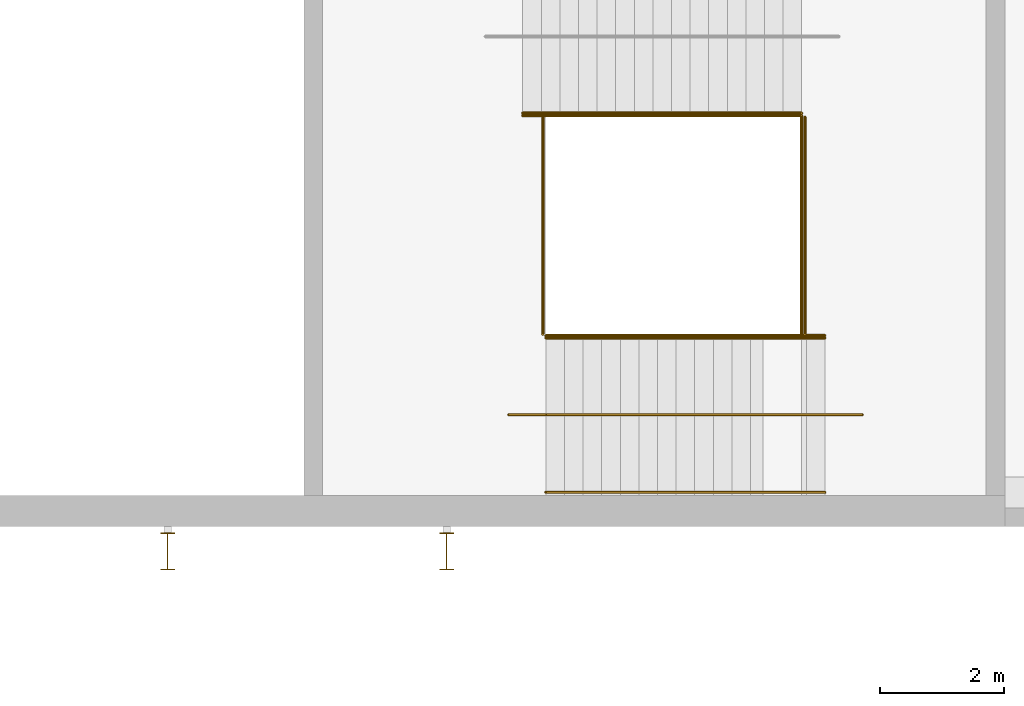
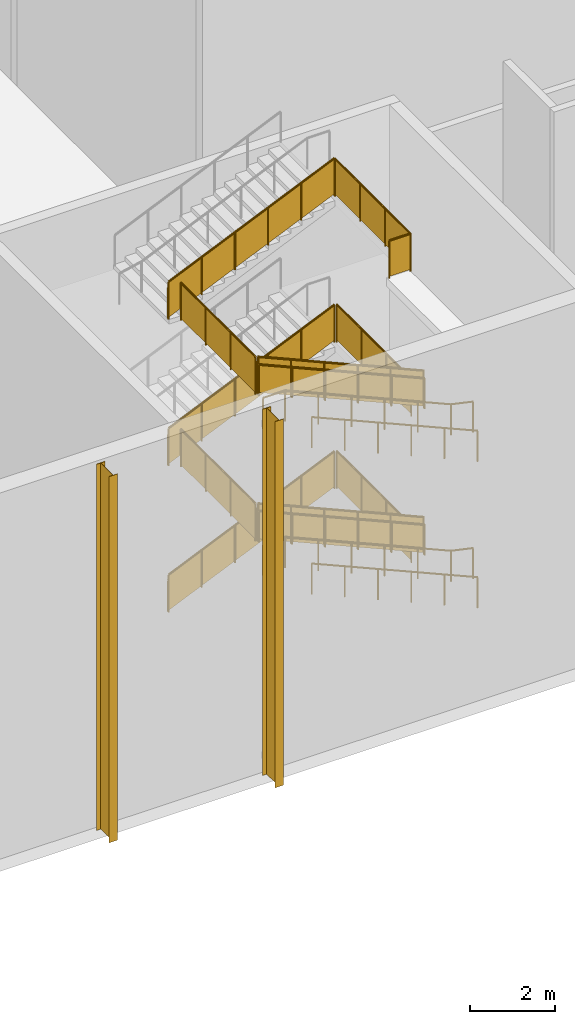
# One storey, part 137 of 182: 19 railings, 2 shading devices.
"""IFC4 building model written with IfcOpenShell, lengths in metres."""

from ifc_helpers import new_model, si_unit, direction, frame, origin, origin_2d, place, context, subcontext, project, spatial, polyline, circle, i_section, outline, extrude, material, material_profile, profile_set, type_object, element, save


model = new_model("IFC4")

# Units and contexts
model_context = context("Model", 3, precision=1e-05, world=origin(), true_north=direction((0.0, 1.0)))
body_context = subcontext(model_context, "Body", "Model", "MODEL_VIEW")
ifc_project = project(units=[si_unit("LENGTHUNIT", "METRE"), si_unit("AREAUNIT", "SQUARE_METRE"), si_unit("VOLUMEUNIT", "CUBIC_METRE"), si_unit("PLANEANGLEUNIT", "RADIAN"), si_unit("MASSUNIT", "GRAM", prefix="KILO")], contexts=[model_context])

# Site, building, storey
site_placement = place(None, origin())
site = spatial("IfcSite", under=ifc_project, at=site_placement, CompositionType="ELEMENT")
building_placement = place(site_placement, origin())
building = spatial("IfcBuilding", under=site, at=building_placement, Name="Silverbay Arena", CompositionType="ELEMENT")
storey_placement = place(building_placement, frame((0.0, 0.0, 11.5)))
storey = spatial("IfcBuildingStorey", under=building, at=storey_placement, Name="L02", CompositionType="ELEMENT", Elevation=11.5)

# Railings
ifc_material_1 = material(Name="Stainless steel", Category="steel")
railing_type_1 = type_object("IfcRailingType", Name="Stair guard 1100", PredefinedType="GUARDRAIL", material=ifc_material_1)
railing_1_placement = place(storey_placement, frame((64.225830078125, 24.125, 0.13134765625)))
element("IfcRailing", 1, at=railing_1_placement, inside=storey, type_object=railing_type_1, Name="Stair ST-S5 L02 to L03 flight 1 guard right", PredefinedType="GUARDRAIL", context=body_context, shape_type="SweptSolid", body=[
    extrude(circle(Radius=0.02392578125, at=origin_2d()), frame((0.0, 0.0, 1.076171875), z_axis=(0.916157334902, 0.0, 0.40081883402), x_axis=(0.0, 1.0, 0.0)), (0.0, 0.0, 1.0), 4.911865234375),
    extrude(outline(polyline([(-0.008056640625, 0.04638671875), (0.907958984375, 0.447265625), (0.907958984375, 1.4501953125), (-0.008056640625, 1.049560546875), (-0.008056640625, 0.04638671875)])), frame((0.0, 0.0029296875, 0.0), z_axis=(0.0, -1.0, 0.0), x_axis=(1.0, 0.0, 0.0)), (0.0, 0.0, 1.0), 0.006103515625),
    extrude(outline(polyline([(-0.008056640625, 0.440185546875), (0.907958984375, 0.841064453125), (0.907958984375, 1.843994140625), (-0.008056640625, 1.443359375), (-0.008056640625, 0.440185546875)])), frame((0.89990234375, 0.0029296875, 0.0), z_axis=(0.0, -1.0, 0.0), x_axis=(1.0, 0.0, 0.0)), (0.0, 0.0, 1.0), 0.006103515625),
    extrude(outline(polyline([(-0.008056640625, 0.833984375), (0.907958984375, 1.23486328125), (0.907958984375, 2.23779296875), (-0.008056640625, 1.8369140625), (-0.008056640625, 0.833984375)])), frame((1.800048828125, 0.0029296875, 0.0), z_axis=(0.0, -1.0, 0.0), x_axis=(1.0, 0.0, 0.0)), (0.0, 0.0, 1.0), 0.006103515625),
    extrude(outline(polyline([(-0.008056640625, 1.227783203125), (0.907958984375, 1.62841796875), (0.907958984375, 2.631591796875), (-0.008056640625, 2.230712890625), (-0.008056640625, 1.227783203125)])), frame((2.699951171875, 0.0029296875, 0.0), z_axis=(0.0, -1.0, 0.0), x_axis=(1.0, 0.0, 0.0)), (0.0, 0.0, 1.0), 0.006103515625),
    extrude(outline(polyline([(-0.008056640625, 1.62158203125), (0.907958984375, 2.022216796875), (0.907958984375, 3.025146484375), (-0.008056640625, 2.62451171875), (-0.008056640625, 1.62158203125)])), frame((3.60009765625, 0.0029296875, 0.0), z_axis=(0.0, -1.0, 0.0), x_axis=(1.0, 0.0, 0.0)), (0.0, 0.0, 1.0), 0.006103515625),
    extrude(circle(Radius=0.02099609375, at=origin_2d()), origin(), (0.0, 0.0, 1.0), 1.052001953125),
    extrude(circle(Radius=0.02099609375, at=origin_2d()), frame((0.89990234375, 0.0, 0.393798828125)), (0.0, 0.0, 1.0), 1.052001953125),
    extrude(circle(Radius=0.02099609375, at=origin_2d()), frame((1.800048828125, 0.0, 0.78759765625)), (0.0, 0.0, 1.0), 1.052001953125),
    extrude(circle(Radius=0.02099609375, at=origin_2d()), frame((2.699951171875, 0.0, 1.18115234375)), (0.0, 0.0, 1.0), 1.052001953125),
    extrude(circle(Radius=0.02099609375, at=origin_2d()), frame((3.60009765625, 0.0, 1.574951171875)), (0.0, 0.0, 1.0), 1.052001953125),
    extrude(circle(Radius=0.02099609375, at=origin_2d()), frame((4.5, 0.0, 1.96875)), (0.0, 0.0, 1.0), 1.052001953125),
])
railing_2_placement = place(storey_placement, frame((69.10009765625, 20.574951171875, 2.231201171875)))
element("IfcRailing", 2, at=railing_2_placement, inside=storey, type_object=railing_type_1, Name="Stair ST-S5 L02 to L03 flight 2 guard left", PredefinedType="GUARDRAIL", context=body_context, shape_type="SweptSolid", body=[
    extrude(circle(Radius=0.02392578125, at=origin_2d()), frame((0.0, 0.0, 1.076171875), z_axis=(-0.916157334902, 0.0, 0.40081883402), x_axis=(0.0, -1.0, 0.0)), (0.0, 0.0, 1.0), 4.911865234375),
    extrude(outline(polyline([(-0.008056640625, 0.04638671875), (0.907958984375, 0.447265625), (0.907958984375, 1.4501953125), (-0.008056640625, 1.049560546875), (-0.008056640625, 0.04638671875)])), frame((0.0, -0.0029296875, 0.0), z_axis=(0.0, 1.0, 0.0), x_axis=(-1.0, 0.0, 0.0)), (0.0, 0.0, 1.0), 0.006103515625),
    extrude(outline(polyline([(-0.008056640625, 0.440185546875), (0.907958984375, 0.841064453125), (0.907958984375, 1.843994140625), (-0.008056640625, 1.443359375), (-0.008056640625, 0.440185546875)])), frame((-0.89990234375, -0.0029296875, 0.0), z_axis=(0.0, 1.0, 0.0), x_axis=(-1.0, 0.0, 0.0)), (0.0, 0.0, 1.0), 0.006103515625),
    extrude(outline(polyline([(-0.008056640625, 0.833984375), (0.907958984375, 1.23486328125), (0.907958984375, 2.23779296875), (-0.008056640625, 1.8369140625), (-0.008056640625, 0.833984375)])), frame((-1.800048828125, -0.0029296875, 0.0), z_axis=(0.0, 1.0, 0.0), x_axis=(-1.0, 0.0, 0.0)), (0.0, 0.0, 1.0), 0.006103515625),
    extrude(outline(polyline([(-0.008056640625, 1.227783203125), (0.907958984375, 1.62841796875), (0.907958984375, 2.631591796875), (-0.008056640625, 2.230712890625), (-0.008056640625, 1.227783203125)])), frame((-2.699951171875, -0.0029296875, 0.0), z_axis=(0.0, 1.0, 0.0), x_axis=(-1.0, 0.0, 0.0)), (0.0, 0.0, 1.0), 0.006103515625),
    extrude(outline(polyline([(-0.008056640625, 1.62158203125), (0.907958984375, 2.022216796875), (0.907958984375, 3.025146484375), (-0.008056640625, 2.62451171875), (-0.008056640625, 1.62158203125)])), frame((-3.60009765625, -0.0029296875, 0.0), z_axis=(0.0, 1.0, 0.0), x_axis=(-1.0, 0.0, 0.0)), (0.0, 0.0, 1.0), 0.006103515625),
    extrude(circle(Radius=0.02099609375, at=origin_2d()), origin(), (0.0, 0.0, 1.0), 1.052001953125),
    extrude(circle(Radius=0.02099609375, at=origin_2d()), frame((-0.89990234375, 0.0, 0.393798828125)), (0.0, 0.0, 1.0), 1.052001953125),
    extrude(circle(Radius=0.02099609375, at=origin_2d()), frame((-1.800048828125, 0.0, 0.78759765625)), (0.0, 0.0, 1.0), 1.052001953125),
    extrude(circle(Radius=0.02099609375, at=origin_2d()), frame((-2.699951171875, 0.0, 1.18115234375)), (0.0, 0.0, 1.0), 1.052001953125),
    extrude(circle(Radius=0.02099609375, at=origin_2d()), frame((-3.60009765625, 0.0, 1.574951171875)), (0.0, 0.0, 1.0), 1.052001953125),
    extrude(circle(Radius=0.02099609375, at=origin_2d()), frame((-4.5, 0.0, 1.96875)), (0.0, 0.0, 1.0), 1.052001953125),
])
railing_3_placement = place(storey_placement, frame((64.225830078125, 24.125, 4.331298828125)))
element("IfcRailing", 3, at=railing_3_placement, inside=storey, type_object=railing_type_1, Name="Stair ST-S5 L02 to L03 flight 3 guard right", PredefinedType="GUARDRAIL", context=body_context, shape_type="SweptSolid", body=[
    extrude(circle(Radius=0.02392578125, at=origin_2d()), frame((0.0, 0.0, 1.076171875), z_axis=(0.916157334902, 0.0, 0.40081883402), x_axis=(0.0, 1.0, 0.0)), (0.0, 0.0, 1.0), 4.911865234375),
    extrude(outline(polyline([(-0.008056640625, 0.04638671875), (0.907958984375, 0.447265625), (0.907958984375, 1.4501953125), (-0.008056640625, 1.049560546875), (-0.008056640625, 0.04638671875)])), frame((0.0, 0.0029296875, 0.0), z_axis=(0.0, -1.0, 0.0), x_axis=(1.0, 0.0, 0.0)), (0.0, 0.0, 1.0), 0.006103515625),
    extrude(outline(polyline([(-0.008056640625, 0.440185546875), (0.907958984375, 0.841064453125), (0.907958984375, 1.843994140625), (-0.008056640625, 1.443359375), (-0.008056640625, 0.440185546875)])), frame((0.89990234375, 0.0029296875, 0.0), z_axis=(0.0, -1.0, 0.0), x_axis=(1.0, 0.0, 0.0)), (0.0, 0.0, 1.0), 0.006103515625),
    extrude(outline(polyline([(-0.008056640625, 0.833984375), (0.907958984375, 1.23486328125), (0.907958984375, 2.23779296875), (-0.008056640625, 1.8369140625), (-0.008056640625, 0.833984375)])), frame((1.800048828125, 0.0029296875, 0.0), z_axis=(0.0, -1.0, 0.0), x_axis=(1.0, 0.0, 0.0)), (0.0, 0.0, 1.0), 0.006103515625),
    extrude(outline(polyline([(-0.008056640625, 1.227783203125), (0.907958984375, 1.62841796875), (0.907958984375, 2.631591796875), (-0.008056640625, 2.230712890625), (-0.008056640625, 1.227783203125)])), frame((2.699951171875, 0.0029296875, 0.0), z_axis=(0.0, -1.0, 0.0), x_axis=(1.0, 0.0, 0.0)), (0.0, 0.0, 1.0), 0.006103515625),
    extrude(outline(polyline([(-0.008056640625, 1.62158203125), (0.907958984375, 2.022216796875), (0.907958984375, 3.025146484375), (-0.008056640625, 2.62451171875), (-0.008056640625, 1.62158203125)])), frame((3.60009765625, 0.0029296875, 0.0), z_axis=(0.0, -1.0, 0.0), x_axis=(1.0, 0.0, 0.0)), (0.0, 0.0, 1.0), 0.006103515625),
    extrude(circle(Radius=0.02099609375, at=origin_2d()), origin(), (0.0, 0.0, 1.0), 1.052001953125),
    extrude(circle(Radius=0.02099609375, at=origin_2d()), frame((0.89990234375, 0.0, 0.393798828125)), (0.0, 0.0, 1.0), 1.052001953125),
    extrude(circle(Radius=0.02099609375, at=origin_2d()), frame((1.800048828125, 0.0, 0.78759765625)), (0.0, 0.0, 1.0), 1.052001953125),
    extrude(circle(Radius=0.02099609375, at=origin_2d()), frame((2.699951171875, 0.0, 1.18115234375)), (0.0, 0.0, 1.0), 1.052001953125),
    extrude(circle(Radius=0.02099609375, at=origin_2d()), frame((3.60009765625, 0.0, 1.574951171875)), (0.0, 0.0, 1.0), 1.052001953125),
    extrude(circle(Radius=0.02099609375, at=origin_2d()), frame((4.5, 0.0, 1.96875)), (0.0, 0.0, 1.0), 1.052001953125),
])
railing_4_placement = place(storey_placement, frame((69.10009765625, 20.574951171875, 6.43115234375)))
element("IfcRailing", 4, at=railing_4_placement, inside=storey, type_object=railing_type_1, Name="Stair ST-S5 L02 to L03 flight 4 guard left", PredefinedType="GUARDRAIL", context=body_context, shape_type="SweptSolid", body=[
    extrude(circle(Radius=0.02392578125, at=origin_2d()), frame((0.0, 0.0, 1.076171875), z_axis=(-0.916157334902, 0.0, 0.40081883402), x_axis=(0.0, -1.0, 0.0)), (0.0, 0.0, 1.0), 4.911865234375),
    extrude(outline(polyline([(-0.008056640625, 0.04638671875), (0.907958984375, 0.447265625), (0.907958984375, 1.4501953125), (-0.008056640625, 1.049560546875), (-0.008056640625, 0.04638671875)])), frame((0.0, -0.0029296875, 0.0), z_axis=(0.0, 1.0, 0.0), x_axis=(-1.0, 0.0, 0.0)), (0.0, 0.0, 1.0), 0.006103515625),
    extrude(outline(polyline([(-0.008056640625, 0.440185546875), (0.907958984375, 0.841064453125), (0.907958984375, 1.843994140625), (-0.008056640625, 1.443359375), (-0.008056640625, 0.440185546875)])), frame((-0.89990234375, -0.0029296875, 0.0), z_axis=(0.0, 1.0, 0.0), x_axis=(-1.0, 0.0, 0.0)), (0.0, 0.0, 1.0), 0.006103515625),
    extrude(outline(polyline([(-0.008056640625, 0.833984375), (0.907958984375, 1.23486328125), (0.907958984375, 2.23779296875), (-0.008056640625, 1.8369140625), (-0.008056640625, 0.833984375)])), frame((-1.800048828125, -0.0029296875, 0.0), z_axis=(0.0, 1.0, 0.0), x_axis=(-1.0, 0.0, 0.0)), (0.0, 0.0, 1.0), 0.006103515625),
    extrude(outline(polyline([(-0.008056640625, 1.227783203125), (0.907958984375, 1.62841796875), (0.907958984375, 2.631591796875), (-0.008056640625, 2.230712890625), (-0.008056640625, 1.227783203125)])), frame((-2.699951171875, -0.0029296875, 0.0), z_axis=(0.0, 1.0, 0.0), x_axis=(-1.0, 0.0, 0.0)), (0.0, 0.0, 1.0), 0.006103515625),
    extrude(outline(polyline([(-0.008056640625, 1.62158203125), (0.907958984375, 2.022216796875), (0.907958984375, 3.025146484375), (-0.008056640625, 2.62451171875), (-0.008056640625, 1.62158203125)])), frame((-3.60009765625, -0.0029296875, 0.0), z_axis=(0.0, 1.0, 0.0), x_axis=(-1.0, 0.0, 0.0)), (0.0, 0.0, 1.0), 0.006103515625),
    extrude(circle(Radius=0.02099609375, at=origin_2d()), origin(), (0.0, 0.0, 1.0), 1.052001953125),
    extrude(circle(Radius=0.02099609375, at=origin_2d()), frame((-0.89990234375, 0.0, 0.393798828125)), (0.0, 0.0, 1.0), 1.052001953125),
    extrude(circle(Radius=0.02099609375, at=origin_2d()), frame((-1.800048828125, 0.0, 0.78759765625)), (0.0, 0.0, 1.0), 1.052001953125),
    extrude(circle(Radius=0.02099609375, at=origin_2d()), frame((-2.699951171875, 0.0, 1.18115234375)), (0.0, 0.0, 1.0), 1.052001953125),
    extrude(circle(Radius=0.02099609375, at=origin_2d()), frame((-3.60009765625, 0.0, 1.574951171875)), (0.0, 0.0, 1.0), 1.052001953125),
    extrude(circle(Radius=0.02099609375, at=origin_2d()), frame((-4.5, 0.0, 1.96875)), (0.0, 0.0, 1.0), 1.052001953125),
])
railing_5_placement = place(storey_placement, frame((64.225830078125, 24.125, 8.53125)))
element("IfcRailing", 5, at=railing_5_placement, inside=storey, type_object=railing_type_1, Name="Stair ST-S5 L02 to L03 flight 5 guard right", PredefinedType="GUARDRAIL", context=body_context, shape_type="SweptSolid", body=[
    extrude(circle(Radius=0.02392578125, at=origin_2d()), frame((0.0, 0.0, 1.076171875), z_axis=(0.916157334902, 0.0, 0.40081883402), x_axis=(0.0, 1.0, 0.0)), (0.0, 0.0, 1.0), 4.911865234375),
    extrude(outline(polyline([(-0.008056640625, 0.04638671875), (0.907958984375, 0.447265625), (0.907958984375, 1.4501953125), (-0.008056640625, 1.049560546875), (-0.008056640625, 0.04638671875)])), frame((0.0, 0.0029296875, 0.0), z_axis=(0.0, -1.0, 0.0), x_axis=(1.0, 0.0, 0.0)), (0.0, 0.0, 1.0), 0.006103515625),
    extrude(outline(polyline([(-0.008056640625, 0.440185546875), (0.907958984375, 0.841064453125), (0.907958984375, 1.843994140625), (-0.008056640625, 1.443359375), (-0.008056640625, 0.440185546875)])), frame((0.89990234375, 0.0029296875, 0.0), z_axis=(0.0, -1.0, 0.0), x_axis=(1.0, 0.0, 0.0)), (0.0, 0.0, 1.0), 0.006103515625),
    extrude(outline(polyline([(-0.008056640625, 0.833984375), (0.907958984375, 1.23486328125), (0.907958984375, 2.23779296875), (-0.008056640625, 1.8369140625), (-0.008056640625, 0.833984375)])), frame((1.800048828125, 0.0029296875, 0.0), z_axis=(0.0, -1.0, 0.0), x_axis=(1.0, 0.0, 0.0)), (0.0, 0.0, 1.0), 0.006103515625),
    extrude(outline(polyline([(-0.008056640625, 1.227783203125), (0.907958984375, 1.62841796875), (0.907958984375, 2.631591796875), (-0.008056640625, 2.230712890625), (-0.008056640625, 1.227783203125)])), frame((2.699951171875, 0.0029296875, 0.0), z_axis=(0.0, -1.0, 0.0), x_axis=(1.0, 0.0, 0.0)), (0.0, 0.0, 1.0), 0.006103515625),
    extrude(outline(polyline([(-0.008056640625, 1.62158203125), (0.907958984375, 2.022216796875), (0.907958984375, 3.025146484375), (-0.008056640625, 2.62451171875), (-0.008056640625, 1.62158203125)])), frame((3.60009765625, 0.0029296875, 0.0), z_axis=(0.0, -1.0, 0.0), x_axis=(1.0, 0.0, 0.0)), (0.0, 0.0, 1.0), 0.006103515625),
    extrude(circle(Radius=0.02099609375, at=origin_2d()), origin(), (0.0, 0.0, 1.0), 1.052001953125),
    extrude(circle(Radius=0.02099609375, at=origin_2d()), frame((0.89990234375, 0.0, 0.393798828125)), (0.0, 0.0, 1.0), 1.052001953125),
    extrude(circle(Radius=0.02099609375, at=origin_2d()), frame((1.800048828125, 0.0, 0.78759765625)), (0.0, 0.0, 1.0), 1.052001953125),
    extrude(circle(Radius=0.02099609375, at=origin_2d()), frame((2.699951171875, 0.0, 1.18115234375)), (0.0, 0.0, 1.0), 1.052001953125),
    extrude(circle(Radius=0.02099609375, at=origin_2d()), frame((3.60009765625, 0.0, 1.574951171875)), (0.0, 0.0, 1.0), 1.052001953125),
    extrude(circle(Radius=0.02099609375, at=origin_2d()), frame((4.5, 0.0, 1.96875)), (0.0, 0.0, 1.0), 1.052001953125),
])
for number, where, name in (
    (6, (68.77587890625, 24.10009765625, 2.10009765625), "Stair ST-S5 L02 to L03 landing 1 guard"),
    (7, (64.550048828125, 24.10009765625, 4.199951171875), "Stair ST-S5 L02 to L03 landing 2 guard"),
    (8, (68.77587890625, 24.10009765625, 6.300048828125), "Stair ST-S5 L02 to L03 landing 3 guard"),
    (9, (64.550048828125, 24.10009765625, 8.39990234375), "Stair ST-S5 L02 to L03 landing 4 guard"),
):
    element("IfcRailing", number, at=place(storey_placement, frame(where)), inside=storey, type_object=railing_type_1, Name=name, PredefinedType="GUARDRAIL", context=body_context, shape_type="SweptSolid", body=[
        extrude(circle(Radius=0.02392578125, at=origin_2d()), frame((0.0, 0.0, 1.076171875), z_axis=(0.0, -1.0, 0.0), x_axis=(1.0, 0.0, 0.0)), (0.0, 0.0, 1.0), 3.5),
        extrude(outline(polyline([(-0.008056640625, 0.050048828125), (1.174560546875, 0.050048828125), (1.174560546875, 1.052978515625), (-0.008056640625, 1.052978515625), (-0.008056640625, 0.050048828125)])), frame((0.0029296875, 0.0, 0.0), z_axis=(-1.0, 0.0, 0.0), x_axis=(0.0, -1.0, 0.0)), (0.0, 0.0, 1.0), 0.006103515625),
        extrude(outline(polyline([(-0.008056640625, 0.050048828125), (1.174560546875, 0.050048828125), (1.174560546875, 1.052978515625), (-0.008056640625, 1.052978515625), (-0.008056640625, 0.050048828125)])), frame((0.0029296875, -1.166748046875, 0.0), z_axis=(-1.0, 0.0, 0.0), x_axis=(0.0, -1.0, 0.0)), (0.0, 0.0, 1.0), 0.006103515625),
        extrude(outline(polyline([(-0.008056640625, 0.050048828125), (1.174560546875, 0.050048828125), (1.174560546875, 1.052978515625), (-0.008056640625, 1.052978515625), (-0.008056640625, 0.050048828125)])), frame((0.0029296875, -2.333251953125, 0.0), z_axis=(-1.0, 0.0, 0.0), x_axis=(0.0, -1.0, 0.0)), (0.0, 0.0, 1.0), 0.006103515625),
        extrude(circle(Radius=0.02099609375, at=origin_2d()), origin(), (0.0, 0.0, 1.0), 1.052001953125),
        extrude(circle(Radius=0.02099609375, at=origin_2d()), frame((0.0, -1.166748046875, 0.0)), (0.0, 0.0, 1.0), 1.052001953125),
        extrude(circle(Radius=0.02099609375, at=origin_2d()), frame((0.0, -2.333251953125, 0.0)), (0.0, 0.0, 1.0), 1.052001953125),
        extrude(circle(Radius=0.02099609375, at=origin_2d()), frame((0.0, -3.5, 0.0)), (0.0, 0.0, 1.0), 1.052001953125),
    ])
railing_6_placement = place(storey_placement, frame((68.14990234375, 20.550048828125, 10.5)))
element("IfcRailing", 10, at=railing_6_placement, inside=storey, type_object=railing_type_1, Name="Stair ST-S5 L02 to L03 landing 5 guard", PredefinedType="GUARDRAIL", context=body_context, shape_type="SweptSolid", body=[
    extrude(circle(Radius=0.02392578125, at=origin_2d()), frame((0.0, 0.0, 1.076171875), z_axis=(1.0, 0.0, 0.0), x_axis=(0.0, 1.0, 0.0)), (0.0, 0.0, 1.0), 0.575927734375),
    extrude(outline(polyline([(-0.008056640625, 0.050048828125), (0.583984375, 0.050048828125), (0.583984375, 1.052978515625), (-0.008056640625, 1.052978515625), (-0.008056640625, 0.050048828125)])), frame((0.0, 0.0029296875, 0.0), z_axis=(0.0, -1.0, 0.0), x_axis=(1.0, 0.0, 0.0)), (0.0, 0.0, 1.0), 0.006103515625),
    extrude(circle(Radius=0.02392578125, at=origin_2d()), frame((0.575927734375, 0.0, 1.076171875), z_axis=(0.0, 1.0, 0.0), x_axis=(-1.0, 0.0, 0.0)), (0.0, 0.0, 1.0), 3.550048828125),
    extrude(outline(polyline([(-0.008056640625, 0.050048828125), (1.19140625, 0.050048828125), (1.19140625, 1.052978515625), (-0.008056640625, 1.052978515625), (-0.008056640625, 0.050048828125)])), frame((0.572998046875, 0.0, 0.0), z_axis=(1.0, 0.0, 0.0), x_axis=(0.0, 1.0, 0.0)), (0.0, 0.0, 1.0), 0.006103515625),
    extrude(outline(polyline([(-0.008056640625, 0.050048828125), (1.19140625, 0.050048828125), (1.19140625, 1.052978515625), (-0.008056640625, 1.052978515625), (-0.008056640625, 0.050048828125)])), frame((0.572998046875, 1.183349609375, 0.0), z_axis=(1.0, 0.0, 0.0), x_axis=(0.0, 1.0, 0.0)), (0.0, 0.0, 1.0), 0.006103515625),
    extrude(outline(polyline([(-0.008056640625, 0.050048828125), (1.19140625, 0.050048828125), (1.19140625, 1.052978515625), (-0.008056640625, 1.052978515625), (-0.008056640625, 0.050048828125)])), frame((0.572998046875, 2.36669921875, 0.0), z_axis=(1.0, 0.0, 0.0), x_axis=(0.0, 1.0, 0.0)), (0.0, 0.0, 1.0), 0.006103515625),
    extrude(circle(Radius=0.02099609375, at=origin_2d()), origin(), (0.0, 0.0, 1.0), 1.052001953125),
    extrude(circle(Radius=0.02099609375, at=origin_2d()), frame((0.575927734375, 0.0, 0.0)), (0.0, 0.0, 1.0), 1.052001953125),
    extrude(circle(Radius=0.02099609375, at=origin_2d()), frame((0.575927734375, 1.183349609375, 0.0)), (0.0, 0.0, 1.0), 1.052001953125),
    extrude(circle(Radius=0.02099609375, at=origin_2d()), frame((0.575927734375, 2.36669921875, 0.0)), (0.0, 0.0, 1.0), 1.052001953125),
    extrude(circle(Radius=0.02099609375, at=origin_2d()), frame((0.575927734375, 3.550048828125, 0.0)), (0.0, 0.0, 1.0), 1.052001953125),
])
ifc_material_2 = material(Name="Stainless steel", Category="steel")
railing_type_2 = type_object("IfcRailingType", Name="Stair handrail 900", PredefinedType="HANDRAIL", material=ifc_material_2)
railing_7_placement = place(storey_placement, frame((64.225830078125, 24.1640625, 0.13134765625)))
element("IfcRailing", 11, at=railing_7_placement, inside=storey, type_object=railing_type_2, Name="Stair ST-S5 L02 to L03 flight 1 handrail right", PredefinedType="HANDRAIL", context=body_context, shape_type="SweptSolid", body=[
    extrude(circle(Radius=0.02392578125, at=origin_2d()), frame((0.0, 0.0, 0.8759765625), z_axis=(0.916157334902, 0.0, 0.40081883402), x_axis=(0.0, 1.0, 0.0)), (0.0, 0.0, 1.0), 4.911865234375),
    extrude(circle(Radius=0.02099609375, at=origin_2d()), origin(), (0.0, 0.0, 1.0), 0.851806640625),
    extrude(circle(Radius=0.02099609375, at=origin_2d()), frame((0.89990234375, 0.0, 0.393798828125)), (0.0, 0.0, 1.0), 0.851806640625),
    extrude(circle(Radius=0.02099609375, at=origin_2d()), frame((1.800048828125, 0.0, 0.78759765625)), (0.0, 0.0, 1.0), 0.851806640625),
    extrude(circle(Radius=0.02099609375, at=origin_2d()), frame((2.699951171875, 0.0, 1.18115234375)), (0.0, 0.0, 1.0), 0.851806640625),
    extrude(circle(Radius=0.02099609375, at=origin_2d()), frame((3.60009765625, 0.0, 1.574951171875)), (0.0, 0.0, 1.0), 0.851806640625),
    extrude(circle(Radius=0.02099609375, at=origin_2d()), frame((4.5, 0.0, 1.96875)), (0.0, 0.0, 1.0), 0.851806640625),
])
for number, where, name in (
    (12, (69.10009765625, 20.535888671875, 2.231201171875), "Stair ST-S5 L02 to L03 flight 2 handrail left"),
    (13, (69.10009765625, 18.050048828125, 2.231201171875), "Stair ST-S5 L02 to L03 flight 2 handrail right"),
):
    element("IfcRailing", number, at=place(storey_placement, frame(where)), inside=storey, type_object=railing_type_2, Name=name, PredefinedType="HANDRAIL", context=body_context, shape_type="SweptSolid", body=[
        extrude(circle(Radius=0.02392578125, at=origin_2d()), frame((0.0, 0.0, 0.8759765625), z_axis=(-0.916157334902, 0.0, 0.40081883402), x_axis=(0.0, -1.0, 0.0)), (0.0, 0.0, 1.0), 4.911865234375),
        extrude(circle(Radius=0.02099609375, at=origin_2d()), origin(), (0.0, 0.0, 1.0), 0.851806640625),
        extrude(circle(Radius=0.02099609375, at=origin_2d()), frame((-0.89990234375, 0.0, 0.393798828125)), (0.0, 0.0, 1.0), 0.851806640625),
        extrude(circle(Radius=0.02099609375, at=origin_2d()), frame((-1.800048828125, 0.0, 0.78759765625)), (0.0, 0.0, 1.0), 0.851806640625),
        extrude(circle(Radius=0.02099609375, at=origin_2d()), frame((-2.699951171875, 0.0, 1.18115234375)), (0.0, 0.0, 1.0), 0.851806640625),
        extrude(circle(Radius=0.02099609375, at=origin_2d()), frame((-3.60009765625, 0.0, 1.574951171875)), (0.0, 0.0, 1.0), 0.851806640625),
        extrude(circle(Radius=0.02099609375, at=origin_2d()), frame((-4.5, 0.0, 1.96875)), (0.0, 0.0, 1.0), 0.851806640625),
    ])
railing_8_placement = place(storey_placement, frame((69.699951171875, 19.300048828125, 2.10009765625)))
element("IfcRailing", 14, at=railing_8_placement, inside=storey, type_object=railing_type_2, Name="Stair ST-S5 L02 to L03 flight 2 central handrail", PredefinedType="HANDRAIL", context=body_context, shape_type="SweptSolid", body=[
    extrude(circle(Radius=0.02392578125, at=origin_2d()), frame((0.0, 0.0, 0.8759765625), z_axis=(-0.976938910361, 0.0, 0.213519004829), x_axis=(0.0, -1.0, 0.0)), (0.0, 0.0, 1.0), 0.614013671875),
    extrude(circle(Radius=0.02392578125, at=origin_2d()), frame((-0.599853515625, 0.0, 1.0068359375), z_axis=(-0.916157334902, 0.0, 0.40081883402), x_axis=(0.0, -1.0, 0.0)), (0.0, 0.0, 1.0), 4.911865234375),
    extrude(circle(Radius=0.02392578125, at=origin_2d()), frame((-5.099853515625, 0.0, 2.9755859375), z_axis=(-1.0, 0.0, 0.0), x_axis=(0.0, -1.0, 0.0)), (0.0, 0.0, 1.0), 0.60009765625),
    extrude(circle(Radius=0.02099609375, at=origin_2d()), origin(), (0.0, 0.0, 1.0), 0.851806640625),
    extrude(circle(Radius=0.02099609375, at=origin_2d()), frame((-0.599853515625, 0.0, 0.131103515625)), (0.0, 0.0, 1.0), 0.851806640625),
    extrude(circle(Radius=0.02099609375, at=origin_2d()), frame((-1.499755859375, 0.0, 0.52490234375)), (0.0, 0.0, 1.0), 0.851806640625),
    extrude(circle(Radius=0.02099609375, at=origin_2d()), frame((-2.39990234375, 0.0, 0.918701171875)), (0.0, 0.0, 1.0), 0.851806640625),
    extrude(circle(Radius=0.02099609375, at=origin_2d()), frame((-3.2998046875, 0.0, 1.312255859375)), (0.0, 0.0, 1.0), 0.851806640625),
    extrude(circle(Radius=0.02099609375, at=origin_2d()), frame((-4.199951171875, 0.0, 1.7060546875)), (0.0, 0.0, 1.0), 0.851806640625),
    extrude(circle(Radius=0.02099609375, at=origin_2d()), frame((-5.099853515625, 0.0, 2.099853515625)), (0.0, 0.0, 1.0), 0.851806640625),
    extrude(circle(Radius=0.02099609375, at=origin_2d()), frame((-5.699951171875, 0.0, 2.099853515625)), (0.0, 0.0, 1.0), 0.851806640625),
])
railing_9_placement = place(storey_placement, frame((64.225830078125, 24.1640625, 4.331298828125)))
element("IfcRailing", 15, at=railing_9_placement, inside=storey, type_object=railing_type_2, Name="Stair ST-S5 L02 to L03 flight 3 handrail right", PredefinedType="HANDRAIL", context=body_context, shape_type="SweptSolid", body=[
    extrude(circle(Radius=0.02392578125, at=origin_2d()), frame((0.0, 0.0, 0.8759765625), z_axis=(0.916157334902, 0.0, 0.40081883402), x_axis=(0.0, 1.0, 0.0)), (0.0, 0.0, 1.0), 4.911865234375),
    extrude(circle(Radius=0.02099609375, at=origin_2d()), origin(), (0.0, 0.0, 1.0), 0.851806640625),
    extrude(circle(Radius=0.02099609375, at=origin_2d()), frame((0.89990234375, 0.0, 0.393798828125)), (0.0, 0.0, 1.0), 0.851806640625),
    extrude(circle(Radius=0.02099609375, at=origin_2d()), frame((1.800048828125, 0.0, 0.78759765625)), (0.0, 0.0, 1.0), 0.851806640625),
    extrude(circle(Radius=0.02099609375, at=origin_2d()), frame((2.699951171875, 0.0, 1.18115234375)), (0.0, 0.0, 1.0), 0.851806640625),
    extrude(circle(Radius=0.02099609375, at=origin_2d()), frame((3.60009765625, 0.0, 1.574951171875)), (0.0, 0.0, 1.0), 0.851806640625),
    extrude(circle(Radius=0.02099609375, at=origin_2d()), frame((4.5, 0.0, 1.96875)), (0.0, 0.0, 1.0), 0.851806640625),
])
for number, where, name in (
    (16, (69.10009765625, 20.535888671875, 6.43115234375), "Stair ST-S5 L02 to L03 flight 4 handrail left"),
    (17, (69.10009765625, 18.050048828125, 6.43115234375), "Stair ST-S5 L02 to L03 flight 4 handrail right"),
):
    element("IfcRailing", number, at=place(storey_placement, frame(where)), inside=storey, type_object=railing_type_2, Name=name, PredefinedType="HANDRAIL", context=body_context, shape_type="SweptSolid", body=[
        extrude(circle(Radius=0.02392578125, at=origin_2d()), frame((0.0, 0.0, 0.8759765625), z_axis=(-0.916157334902, 0.0, 0.40081883402), x_axis=(0.0, -1.0, 0.0)), (0.0, 0.0, 1.0), 4.911865234375),
        extrude(circle(Radius=0.02099609375, at=origin_2d()), origin(), (0.0, 0.0, 1.0), 0.851806640625),
        extrude(circle(Radius=0.02099609375, at=origin_2d()), frame((-0.89990234375, 0.0, 0.393798828125)), (0.0, 0.0, 1.0), 0.851806640625),
        extrude(circle(Radius=0.02099609375, at=origin_2d()), frame((-1.800048828125, 0.0, 0.78759765625)), (0.0, 0.0, 1.0), 0.851806640625),
        extrude(circle(Radius=0.02099609375, at=origin_2d()), frame((-2.699951171875, 0.0, 1.18115234375)), (0.0, 0.0, 1.0), 0.851806640625),
        extrude(circle(Radius=0.02099609375, at=origin_2d()), frame((-3.60009765625, 0.0, 1.574951171875)), (0.0, 0.0, 1.0), 0.851806640625),
        extrude(circle(Radius=0.02099609375, at=origin_2d()), frame((-4.5, 0.0, 1.96875)), (0.0, 0.0, 1.0), 0.851806640625),
    ])
railing_10_placement = place(storey_placement, frame((69.699951171875, 19.300048828125, 6.300048828125)))
element("IfcRailing", 18, at=railing_10_placement, inside=storey, type_object=railing_type_2, Name="Stair ST-S5 L02 to L03 flight 4 central handrail", PredefinedType="HANDRAIL", context=body_context, shape_type="SweptSolid", body=[
    extrude(circle(Radius=0.02392578125, at=origin_2d()), frame((0.0, 0.0, 0.8759765625), z_axis=(-0.976938910361, 0.0, 0.213519004829), x_axis=(0.0, -1.0, 0.0)), (0.0, 0.0, 1.0), 0.614013671875),
    extrude(circle(Radius=0.02392578125, at=origin_2d()), frame((-0.599853515625, 0.0, 1.0068359375), z_axis=(-0.916157334902, 0.0, 0.40081883402), x_axis=(0.0, -1.0, 0.0)), (0.0, 0.0, 1.0), 4.911865234375),
    extrude(circle(Radius=0.02392578125, at=origin_2d()), frame((-5.099853515625, 0.0, 2.9755859375), z_axis=(-1.0, 0.0, 0.0), x_axis=(0.0, -1.0, 0.0)), (0.0, 0.0, 1.0), 0.60009765625),
    extrude(circle(Radius=0.02099609375, at=origin_2d()), origin(), (0.0, 0.0, 1.0), 0.851806640625),
    extrude(circle(Radius=0.02099609375, at=origin_2d()), frame((-0.599853515625, 0.0, 0.131103515625)), (0.0, 0.0, 1.0), 0.851806640625),
    extrude(circle(Radius=0.02099609375, at=origin_2d()), frame((-1.499755859375, 0.0, 0.52490234375)), (0.0, 0.0, 1.0), 0.851806640625),
    extrude(circle(Radius=0.02099609375, at=origin_2d()), frame((-2.39990234375, 0.0, 0.918701171875)), (0.0, 0.0, 1.0), 0.851806640625),
    extrude(circle(Radius=0.02099609375, at=origin_2d()), frame((-3.2998046875, 0.0, 1.312255859375)), (0.0, 0.0, 1.0), 0.851806640625),
    extrude(circle(Radius=0.02099609375, at=origin_2d()), frame((-4.199951171875, 0.0, 1.7060546875)), (0.0, 0.0, 1.0), 0.851806640625),
    extrude(circle(Radius=0.02099609375, at=origin_2d()), frame((-5.099853515625, 0.0, 2.099853515625)), (0.0, 0.0, 1.0), 0.851806640625),
    extrude(circle(Radius=0.02099609375, at=origin_2d()), frame((-5.699951171875, 0.0, 2.099853515625)), (0.0, 0.0, 1.0), 0.851806640625),
])
railing_11_placement = place(storey_placement, frame((64.225830078125, 24.1640625, 8.53125)))
element("IfcRailing", 19, at=railing_11_placement, inside=storey, type_object=railing_type_2, Name="Stair ST-S5 L02 to L03 flight 5 handrail right", PredefinedType="HANDRAIL", context=body_context, shape_type="SweptSolid", body=[
    extrude(circle(Radius=0.02392578125, at=origin_2d()), frame((0.0, 0.0, 0.8759765625), z_axis=(0.916157334902, 0.0, 0.40081883402), x_axis=(0.0, 1.0, 0.0)), (0.0, 0.0, 1.0), 4.911865234375),
    extrude(circle(Radius=0.02099609375, at=origin_2d()), origin(), (0.0, 0.0, 1.0), 0.851806640625),
    extrude(circle(Radius=0.02099609375, at=origin_2d()), frame((0.89990234375, 0.0, 0.393798828125)), (0.0, 0.0, 1.0), 0.851806640625),
    extrude(circle(Radius=0.02099609375, at=origin_2d()), frame((1.800048828125, 0.0, 0.78759765625)), (0.0, 0.0, 1.0), 0.851806640625),
    extrude(circle(Radius=0.02099609375, at=origin_2d()), frame((2.699951171875, 0.0, 1.18115234375)), (0.0, 0.0, 1.0), 0.851806640625),
    extrude(circle(Radius=0.02099609375, at=origin_2d()), frame((3.60009765625, 0.0, 1.574951171875)), (0.0, 0.0, 1.0), 0.851806640625),
    extrude(circle(Radius=0.02099609375, at=origin_2d()), frame((4.5, 0.0, 1.96875)), (0.0, 0.0, 1.0), 0.851806640625),
])

# Shading devices
ifc_material_3 = material(Name="Steel S355", Category="steel")
ifc_material_profile = material_profile(ifc_material_3, i_section(OverallWidth=0.2275390625, OverallDepth=0.6025390625, WebThickness=0.010498046875, FlangeThickness=0.014892578125, at=origin_2d()), Name="UB 610x229x101")
ifc_profile_set = profile_set([ifc_material_profile], Name="Steel S355")
shading_device_type = type_object("IfcShadingDeviceType", Name="Steel fin UB 610x229x101", PredefinedType="USERDEFINED", material=ifc_profile_set)
for number, where, z_axis, x_axis, name in (
    (20, (58.5, 17.0986328125, 0.0), (0.0, 0.0, 1.0), (1.0, 0.0, 0.0), "Steel fin S L02 1"),
    (21, (63.0, 17.0986328125, 0.0), (0.0, 0.0, 1.0), (1.0, 0.0, 0.0), "Steel fin S L02 2"),
):
    element("IfcShadingDevice", number, at=place(storey_placement, frame(where, z_axis=z_axis, x_axis=x_axis)), inside=storey, type_object=shading_device_type, Name=name, ObjectType="FIN", PredefinedType="USERDEFINED", context=body_context, shape_type="SweptSolid", body=[
        extrude(i_section(OverallWidth=0.2275390625, OverallDepth=0.6025390625, WebThickness=0.010498046875, FlangeThickness=0.014892578125, at=origin_2d()), origin(), (0.0, 0.0, 1.0), 10.5),
    ])

save(model, "model.ifc")
